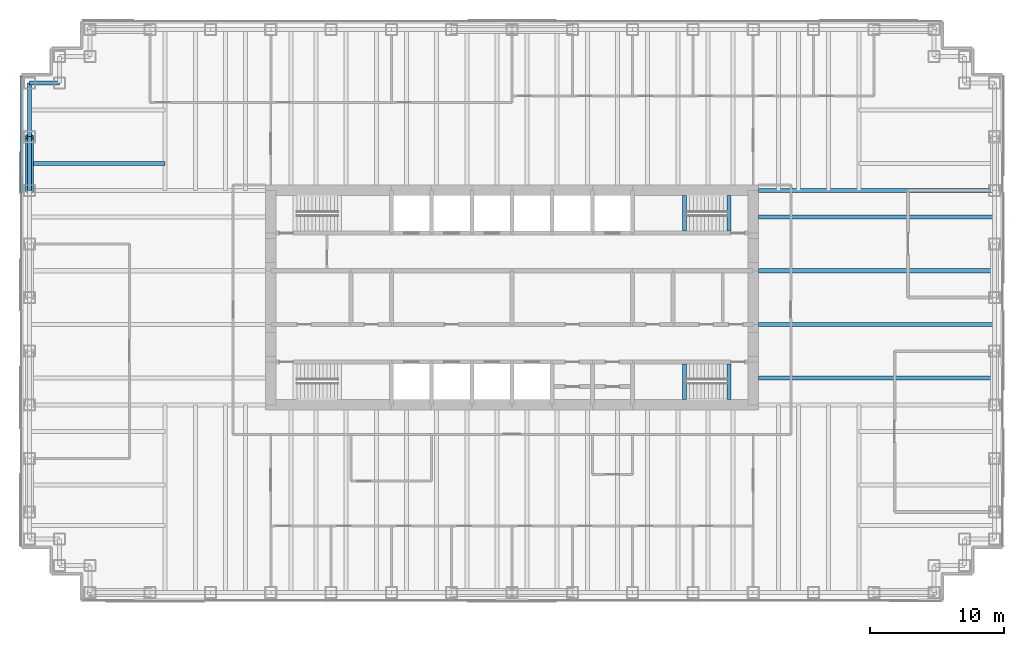
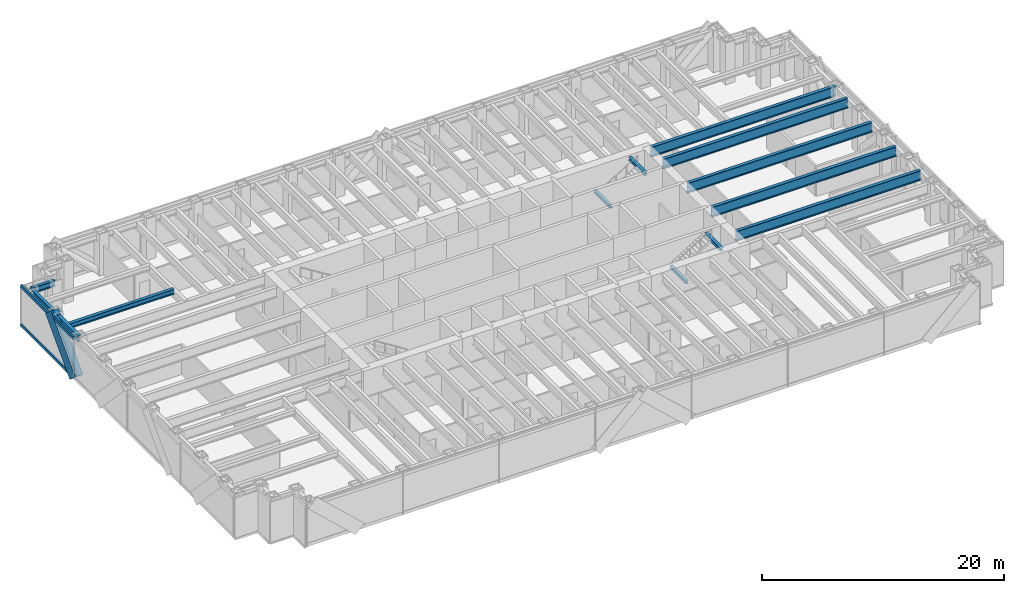
# One storey, part 4 of 14: 13 beams, 4 members, 1 element without a shape of its own.
"""IFC4 building model written with IfcOpenShell, lengths in metres."""

from ifc_helpers import new_model, si_unit, direction, frame, origin, origin_2d, place, context, subcontext, project, spatial, rectangle, hollow_circle, i_section, extrude, material, material_profile, profile_set, type_object, element, aggregate, save


model = new_model("IFC4")

# Units and contexts
model_context = context("Model", 3, precision=1e-05, world=origin(), true_north=direction((0.0, 1.0)))
body_context = subcontext(model_context, "Body", "Model", "MODEL_VIEW")
ifc_project = project(units=[si_unit("LENGTHUNIT", "METRE"), si_unit("AREAUNIT", "SQUARE_METRE"), si_unit("VOLUMEUNIT", "CUBIC_METRE"), si_unit("PLANEANGLEUNIT", "RADIAN"), si_unit("MASSUNIT", "GRAM", prefix="KILO")], contexts=[model_context])

# Site, building, storey
site_placement = place(None, origin())
site = spatial("IfcSite", under=ifc_project, at=site_placement, CompositionType="ELEMENT")
building_placement = place(site_placement, origin())
building = spatial("IfcBuilding", under=site, at=building_placement, Name="Rheinbord Bourse Tower", CompositionType="ELEMENT")
storey_placement = place(building_placement, frame((0.0, 0.0, 211.0)))
storey = spatial("IfcBuildingStorey", under=building, at=storey_placement, Name="L47", CompositionType="ELEMENT", Elevation=211.0)

# Curtain wall, members
ifc_material_1 = material(Name="Dark glass and black aluminium", Category="aluminium")
curtain_wall_type = type_object("IfcCurtainWallType", Name="CW2 DARK GLASS CURTAIN WALL", PredefinedType="USERDEFINED", material=ifc_material_1)
curtain_wall_placement = place(storey_placement, origin())
curtain_wall = element("IfcCurtainWall", 1, at=curtain_wall_placement, inside=storey, type_object=curtain_wall_type, Name="Curtain wall CW2 W L47", ObjectType="UNITISED CURTAIN WALL", PredefinedType="USERDEFINED")
ifc_material_2 = material(Name="Black anodised aluminium", Category="aluminium")
ifc_material_profile_1 = material_profile(ifc_material_2, rectangle(XDim=0.159912109375, YDim=1.2099609375, at=origin_2d()), Name="CW2 DIAGONAL MULLION 1210x160")
ifc_profile_set_1 = profile_set([ifc_material_profile_1], Name="Black anodised aluminium")
member_type_1 = type_object("IfcMemberType", Name="CW2 BLACK DIAGONAL MULLION", PredefinedType="USERDEFINED", material=ifc_profile_set_1)
member_1_placement = place(storey_placement, frame((-0.60009765625, 32.0, 0.0), z_axis=(0.0, 0.689659376744, 0.724133926887), x_axis=(-1.0, 0.0, 0.0)))
member_1 = element("IfcMember", 2, at=member_1_placement, type_object=member_type_1, Name="CW2 diagonal mullion d", ObjectType="DIAGONAL MULLION", PredefinedType="USERDEFINED", context=body_context, shape_type="SweptSolid", body=[
    extrude(rectangle(XDim=0.159912109375, YDim=1.2099609375, at=origin_2d()), origin(), (0.0, 0.0, 1.0), 5.800048828125),
])
ifc_material_3 = material(Name="Black anodised aluminium", Category="aluminium")
ifc_material_profile_2 = material_profile(ifc_material_3, rectangle(XDim=0.159912109375, YDim=0.300048828125, at=origin_2d()), Name="CW2 TRANSOM 300x160")
ifc_profile_set_2 = profile_set([ifc_material_profile_2], Name="Black anodised aluminium")
member_type_2 = type_object("IfcMemberType", Name="CW2 BLACK TRANSOM", PredefinedType="USERDEFINED", material=ifc_profile_set_2)
member_2_placement = place(storey_placement, frame((-0.60009765625, 40.530029296875, 0.14990234375), z_axis=(0.0, -1.0, 0.0), x_axis=(1.0, 0.0, 0.0)))
member_2 = element("IfcMember", 3, at=member_2_placement, type_object=member_type_2, Name="CW2 transom 1.1", ObjectType="TRANSOM", PredefinedType="USERDEFINED", context=body_context, shape_type="SweptSolid", body=[
    extrude(rectangle(XDim=0.159912109375, YDim=0.300048828125, at=origin_2d()), origin(), (0.0, 0.0, 1.0), 8.695068359375),
])
member_3_placement = place(storey_placement, frame((-0.60009765625, 40.530029296875, 4.050048828125), z_axis=(0.0, -1.0, 0.0), x_axis=(1.0, 0.0, 0.0)))
member_3 = element("IfcMember", 4, at=member_3_placement, type_object=member_type_2, Name="CW2 transom 1.2", ObjectType="TRANSOM", PredefinedType="USERDEFINED", context=body_context, shape_type="SweptSolid", body=[
    extrude(rectangle(XDim=0.159912109375, YDim=0.300048828125, at=origin_2d()), origin(), (0.0, 0.0, 1.0), 8.695068359375),
])
aggregate(curtain_wall, [member_2, member_3, member_1])

# Beams
ifc_material_4 = material(Name="Steel S460", Category="steel")
ifc_material_profile_3 = material_profile(ifc_material_4, i_section(OverallWidth=0.302001953125, OverallDepth=1.008056640625, WebThickness=0.02099609375, FlangeThickness=0.0400390625, at=origin_2d()), Name="HEM 1000")
ifc_profile_set_3 = profile_set([ifc_material_profile_3], Name="Steel S460")
beam_type_1 = type_object("IfcBeamType", Name="END BEAM HEM 1000", PredefinedType="BEAM", material=ifc_profile_set_3)
for number, where, z_axis, x_axis, name in (
    (5, (54.39990234375, 18.0, 3.535888671875), (1.0, 0.0, 0.0), (0.0, 1.0, 0.0), "End beam east 18 L48"),
    (6, (54.39990234375, 22.0, 3.535888671875), (1.0, 0.0, 0.0), (0.0, 1.0, 0.0), "End beam east 22 L48"),
    (7, (54.39990234375, 26.0, 3.535888671875), (1.0, 0.0, 0.0), (0.0, 1.0, 0.0), "End beam east 26 L48"),
    (8, (54.39990234375, 30.0, 3.535888671875), (1.0, 0.0, 0.0), (0.0, 1.0, 0.0), "End beam east 30 L48"),
):
    element("IfcBeam", number, at=place(storey_placement, frame(where, z_axis=z_axis, x_axis=x_axis)), inside=storey, type_object=beam_type_1, Name=name, PredefinedType="BEAM", context=body_context, shape_type="SweptSolid", body=[
        extrude(i_section(OverallWidth=0.302001953125, OverallDepth=1.008056640625, WebThickness=0.02099609375, FlangeThickness=0.0400390625, at=origin_2d()), origin(), (0.0, 0.0, 1.0), 17.60009765625),
    ])
ifc_material_5 = material(Name="Steel S460", Category="steel")
ifc_material_profile_4 = material_profile(ifc_material_5, i_section(OverallWidth=0.302001953125, OverallDepth=1.008056640625, WebThickness=0.02099609375, FlangeThickness=0.0400390625, at=origin_2d()), Name="HEM 1000")
ifc_profile_set_4 = profile_set([ifc_material_profile_4], Name="Steel S460")
beam_type_2 = type_object("IfcBeamType", Name="GIRDER HEM 1000", PredefinedType="BEAM", material=ifc_profile_set_4)
beam_1_placement = place(storey_placement, frame((54.39990234375, 32.0, 3.535888671875), z_axis=(1.0, 0.0, 0.0), x_axis=(0.0, 1.0, 0.0)))
element("IfcBeam", 9, at=beam_1_placement, inside=storey, type_object=beam_type_2, Name="Girder east 32 L48", PredefinedType="BEAM", context=body_context, shape_type="SweptSolid", body=[
    extrude(i_section(OverallWidth=0.302001953125, OverallDepth=1.008056640625, WebThickness=0.02099609375, FlangeThickness=0.0400390625, at=origin_2d()), origin(), (0.0, 0.0, 1.0), 17.60009765625),
])
ifc_material_6 = material(Name="Steel S460", Category="steel")
ifc_material_profile_5 = material_profile(ifc_material_6, i_section(OverallWidth=0.300048828125, OverallDepth=0.300048828125, WebThickness=0.010986328125, FlangeThickness=0.01904296875, at=origin_2d()), Name="HEB 300")
ifc_profile_set_5 = profile_set([ifc_material_profile_5], Name="Steel S460")
beam_type_3 = type_object("IfcBeamType", Name="LANDING TRIMMER HEB 300", PredefinedType="BEAM", material=ifc_profile_set_5)
for number, where, z_axis, x_axis, name in (
    (10, (48.8701171875, 16.39990234375, 1.75), (0.0, 1.0, 0.0), (-1.0, 0.0, 0.0), "Landing trimmer ST3 L47"),
    (11, (52.199951171875, 16.39990234375, 3.889892578125), (0.0, 1.0, 0.0), (-1.0, 0.0, 0.0), "Well trimmer ST3 under L48"),
    (12, (48.8701171875, 28.949951171875, 1.75), (0.0, 1.0, 0.0), (-1.0, 0.0, 0.0), "Landing trimmer ST4 L47"),
    (13, (52.199951171875, 28.949951171875, 3.889892578125), (0.0, 1.0, 0.0), (-1.0, 0.0, 0.0), "Well trimmer ST4 under L48"),
):
    element("IfcBeam", number, at=place(storey_placement, frame(where, z_axis=z_axis, x_axis=x_axis)), inside=storey, type_object=beam_type_3, Name=name, PredefinedType="BEAM", context=body_context, shape_type="SweptSolid", body=[
        extrude(i_section(OverallWidth=0.300048828125, OverallDepth=0.300048828125, WebThickness=0.010986328125, FlangeThickness=0.01904296875, at=origin_2d()), origin(), (0.0, 0.0, 1.0), 2.650146484375),
    ])

# Member
ifc_material_7 = material(Name="Steel S460", Category="steel")
ifc_material_profile_6 = material_profile(ifc_material_7, hollow_circle(Radius=0.304931640625, WallThickness=0.0400390625, at=origin_2d()), Name="CHS 610x40")
ifc_profile_set_6 = profile_set([ifc_material_profile_6], Name="Steel S460")
member_type_3 = type_object("IfcMemberType", Name="MEGABRACE CHS 610x40", PredefinedType="BRACE", material=ifc_profile_set_6)
member_4_placement = place(storey_placement, frame((0.0, 32.0, 0.0), z_axis=(0.0, 0.689659376744, 0.724133926887), x_axis=(-1.0, 0.0, 0.0)))
element("IfcMember", 14, at=member_4_placement, inside=storey, type_object=member_type_3, Name="Megabrace W face line d L47", PredefinedType="BRACE", context=body_context, shape_type="SweptSolid", body=[
    extrude(hollow_circle(Radius=0.304931640625, WallThickness=0.0400390625, at=origin_2d()), origin(), (0.0, 0.0, 1.0), 5.800048828125),
])

# Beams
ifc_material_8 = material(Name="Steel S460", Category="steel")
ifc_material_profile_7 = material_profile(ifc_material_8, i_section(OverallWidth=0.300048828125, OverallDepth=0.60009765625, WebThickness=0.015380859375, FlangeThickness=0.030029296875, at=origin_2d()), Name="HEB 600")
ifc_profile_set_7 = profile_set([ifc_material_profile_7], Name="Steel S460")
beam_type_4 = type_object("IfcBeamType", Name="SPANDREL HEB 600", PredefinedType="SPANDREL", material=ifc_profile_set_7)
beam_2_placement = place(storey_placement, frame((2.25, 40.0, 3.739990234375), z_axis=(-1.0, 0.0, 0.0), x_axis=(0.0, -1.0, 0.0)))
element("IfcBeam", 15, at=beam_2_placement, inside=storey, type_object=beam_type_4, Name="Spandrel NW-B-NW-A under L48", PredefinedType="SPANDREL", context=body_context, shape_type="SweptSolid", body=[
    extrude(i_section(OverallWidth=0.300048828125, OverallDepth=0.60009765625, WebThickness=0.015380859375, FlangeThickness=0.030029296875, at=origin_2d()), origin(), (0.0, 0.0, 1.0), 2.25),
])
for number, where, z_axis, x_axis, name in (
    (16, (0.0, 40.0, 3.739990234375), (0.0, -1.0, 0.0), (1.0, 0.0, 0.0), "Spandrel NW-A-W-36 under L48"),
    (17, (0.0, 36.0, 3.739990234375), (0.0, -1.0, 0.0), (1.0, 0.0, 0.0), "Spandrel W-36-W-32 under L48"),
):
    element("IfcBeam", number, at=place(storey_placement, frame(where, z_axis=z_axis, x_axis=x_axis)), inside=storey, type_object=beam_type_4, Name=name, PredefinedType="SPANDREL", context=body_context, shape_type="SweptSolid", body=[
        extrude(i_section(OverallWidth=0.300048828125, OverallDepth=0.60009765625, WebThickness=0.015380859375, FlangeThickness=0.030029296875, at=origin_2d()), origin(), (0.0, 0.0, 1.0), 4.0),
    ])
ifc_material_9 = material(Name="Steel S460", Category="steel")
ifc_material_profile_8 = material_profile(ifc_material_9, i_section(OverallWidth=0.300048828125, OverallDepth=0.5, WebThickness=0.014404296875, FlangeThickness=0.028076171875, at=origin_2d()), Name="HEB 500")
ifc_profile_set_8 = profile_set([ifc_material_profile_8], Name="Steel S460")
beam_type_5 = type_object("IfcBeamType", Name="TIE BEAM HEB 500", PredefinedType="JOIST", material=ifc_profile_set_8)
beam_3_placement = place(storey_placement, frame((0.0, 34.0, 3.7900390625), z_axis=(1.0, 0.0, 0.0), x_axis=(0.0, 1.0, 0.0)))
element("IfcBeam", 18, at=beam_3_placement, inside=storey, type_object=beam_type_5, Name="Tie west 34 L48", PredefinedType="JOIST", context=body_context, shape_type="SweptSolid", body=[
    extrude(i_section(OverallWidth=0.300048828125, OverallDepth=0.5, WebThickness=0.014404296875, FlangeThickness=0.028076171875, at=origin_2d()), origin(), (0.0, 0.0, 1.0), 10.125),
])

save(model, "model.ifc")
